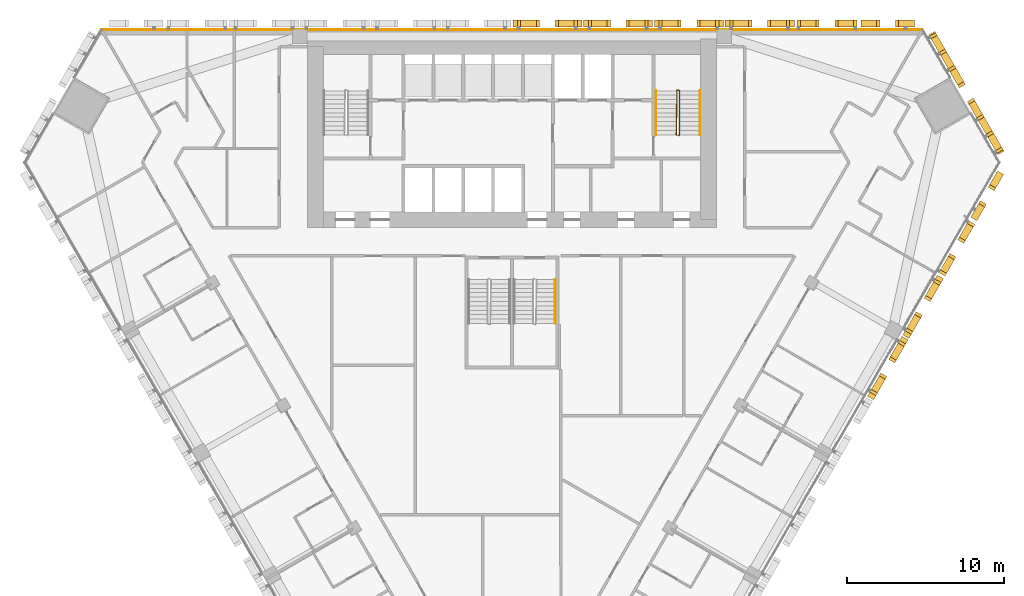
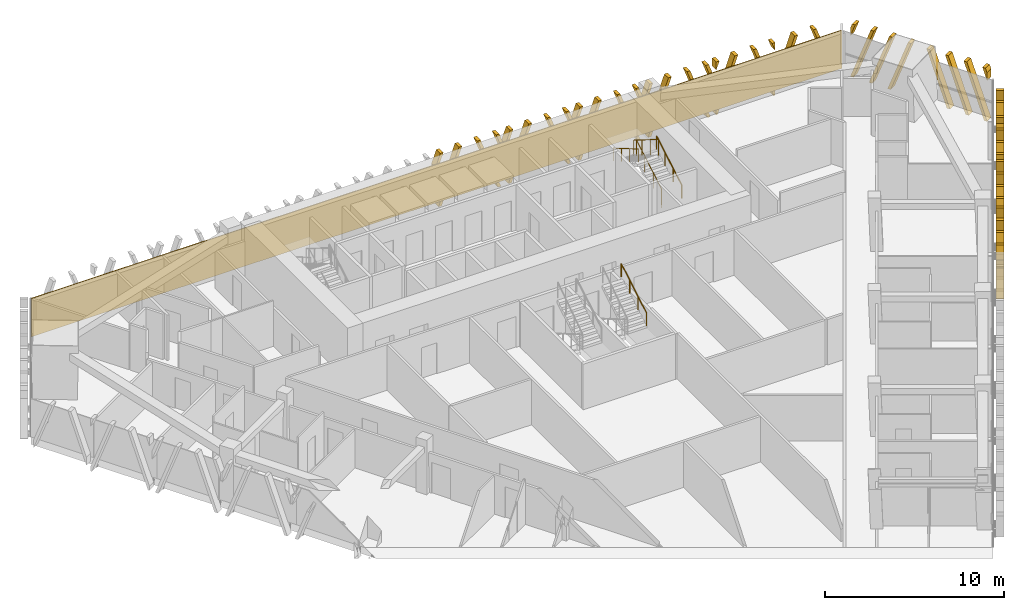
# One storey, part 17 of 18: 11 shading devices, 4 railings, 1 covering.
"""IFC4 building model written with IfcOpenShell, lengths in metres."""

from ifc_helpers import new_model, si_unit, direction, frame, frame_2d, origin, origin_2d, place, context, subcontext, project, spatial, polyline, rectangle, circle, outline, extrude, source, transform, mapped, material, layer, layer_set, type_object, element, save


model = new_model("IFC4")

# Units and contexts
model_context = context("Model", 3, precision=1e-05, world=origin(), true_north=direction((0.0, 1.0)))
body_context = subcontext(model_context, "Body", "Model", "MODEL_VIEW")
ifc_project = project(units=[si_unit("LENGTHUNIT", "METRE"), si_unit("AREAUNIT", "SQUARE_METRE"), si_unit("VOLUMEUNIT", "CUBIC_METRE"), si_unit("PLANEANGLEUNIT", "RADIAN"), si_unit("MASSUNIT", "GRAM", prefix="KILO")], contexts=[model_context])

# Site, building, storey
site_placement = place(None, origin())
site = spatial("IfcSite", under=ifc_project, at=site_placement, CompositionType="ELEMENT")
building_placement = place(site_placement, origin())
building = spatial("IfcBuilding", under=site, at=building_placement, Name="Altiplano Prism Tower", CompositionType="ELEMENT")
storey_placement = place(building_placement, frame((0.0, 0.0, 37.800048828125)))
storey = spatial("IfcBuildingStorey", under=building, at=storey_placement, Name="L08", CompositionType="ELEMENT", Elevation=37.800048828125)

# Railings
ifc_material_1 = material(Name="Steel S355", Category="steel")
railing_type_1 = type_object("IfcRailingType", Name="Stair guard 1100", PredefinedType="GUARDRAIL", material=ifc_material_1)
railing_1_placement = place(storey_placement, frame((95.60009765625, 98.25, 0.0)))
element("IfcRailing", 1, at=railing_1_placement, inside=storey, type_object=railing_type_1, Name="L08 ST2 stair guard 1", PredefinedType="GUARDRAIL", context=body_context, shape_type="SweptSolid", body=[
    extrude(circle(Radius=0.02392578125, at=origin_2d()), frame((0.0, 0.0, 1.076171875), z_axis=(0.279546231943, 0.280916556609, 0.91811752648), x_axis=(-0.708833529934, 0.705375805398, 0.0)), (0.0, 0.0, 1.0), 0.17822265625),
    extrude(circle(Radius=0.02392578125, at=origin_2d()), frame((0.0498046875, 0.050048828125, 1.23974609375), z_axis=(0.0, 0.863360870873, 0.504586966384), x_axis=(-1.0, 0.0, 0.0)), (0.0, 0.0, 1.0), 3.2431640625),
    extrude(circle(Radius=0.02392578125, at=origin_2d()), frame((0.0498046875, 2.85009765625, 2.8759765625), z_axis=(-0.948991962702, 0.315300261223, 0.0), x_axis=(-0.315300261223, -0.948991962702, 0.0)), (0.0, 0.0, 1.0), 0.157958984375),
    extrude(circle(Radius=0.02392578125, at=origin_2d()), frame((-0.10009765625, 2.89990234375, 2.8759765625), z_axis=(-0.014846992469, -0.845409478506, 0.533912334065), x_axis=(0.999845825584, -0.017559187376, 0.0)), (0.0, 0.0, 1.0), 3.37109375),
    extrude(circle(Radius=0.02099609375, at=origin_2d()), origin(), (0.0, 0.0, 1.0), 1.052001953125),
    extrude(circle(Radius=0.02099609375, at=origin_2d()), frame((0.0498046875, 0.050048828125, 0.16357421875)), (0.0, 0.0, 1.0), 1.052001953125),
    extrude(circle(Radius=0.02099609375, at=origin_2d()), frame((0.0498046875, 0.9833984375, 0.708984375)), (0.0, 0.0, 1.0), 1.052001953125),
    extrude(circle(Radius=0.02099609375, at=origin_2d()), frame((0.0498046875, 1.916748046875, 1.254638671875)), (0.0, 0.0, 1.0), 1.052001953125),
    extrude(circle(Radius=0.02099609375, at=origin_2d()), frame((0.0498046875, 2.85009765625, 1.800048828125)), (0.0, 0.0, 1.0), 1.052001953125),
    extrude(circle(Radius=0.02099609375, at=origin_2d()), frame((-0.10009765625, 2.89990234375, 1.800048828125)), (0.0, 0.0, 1.0), 1.052001953125),
    extrude(circle(Radius=0.02099609375, at=origin_2d()), frame((-0.11669921875, 1.949951171875, 2.39990234375)), (0.0, 0.0, 1.0), 1.052001953125),
    extrude(circle(Radius=0.02099609375, at=origin_2d()), frame((-0.133544921875, 1.0, 3.0)), (0.0, 0.0, 1.0), 1.052001953125),
    extrude(circle(Radius=0.02099609375, at=origin_2d()), frame((-0.150146484375, 0.050048828125, 3.599853515625)), (0.0, 0.0, 1.0), 1.052001953125),
])
railing_type_2 = type_object("IfcRailingType", Name="Stair handrail 900", PredefinedType="HANDRAIL", material=ifc_material_1)
railing_2_placement = place(storey_placement, frame((96.949951171875, 98.300048828125, 0.16357421875)))
element("IfcRailing", 2, at=railing_2_placement, inside=storey, type_object=railing_type_2, Name="L08 ST2 stair handrail 1", PredefinedType="HANDRAIL", context=body_context, shape_type="SweptSolid", body=[
    extrude(circle(Radius=0.02392578125, at=origin_2d()), frame((0.0, 0.0, 0.8759765625), z_axis=(0.0, 0.863360870873, 0.504586966384), x_axis=(-1.0, 0.0, 0.0)), (0.0, 0.0, 1.0), 3.2431640625),
    extrude(circle(Radius=0.02099609375, at=origin_2d()), origin(), (0.0, 0.0, 1.0), 0.851806640625),
    extrude(circle(Radius=0.02099609375, at=origin_2d()), frame((0.0, 0.933349609375, 0.54541015625)), (0.0, 0.0, 1.0), 0.851806640625),
    extrude(circle(Radius=0.02099609375, at=origin_2d()), frame((0.0, 1.86669921875, 1.091064453125)), (0.0, 0.0, 1.0), 0.851806640625),
    extrude(circle(Radius=0.02099609375, at=origin_2d()), frame((0.0, 2.800048828125, 1.636474609375)), (0.0, 0.0, 1.0), 0.851806640625),
])
railing_3_placement = place(storey_placement, frame((94.14990234375, 101.10009765625, 1.963623046875)))
element("IfcRailing", 3, at=railing_3_placement, inside=storey, type_object=railing_type_2, Name="L08 ST2 stair handrail 2", PredefinedType="HANDRAIL", context=body_context, shape_type="SweptSolid", body=[
    extrude(circle(Radius=0.02392578125, at=origin_2d()), frame((0.0, 0.0, 0.8759765625), z_axis=(0.0, -0.863393664356, 0.504530851732), x_axis=(1.0, 0.0, 0.0)), (0.0, 0.0, 1.0), 3.2431640625),
    extrude(circle(Radius=0.02099609375, at=origin_2d()), origin(), (0.0, 0.0, 1.0), 0.851806640625),
    extrude(circle(Radius=0.02099609375, at=origin_2d()), frame((0.0, -0.933349609375, 0.54541015625)), (0.0, 0.0, 1.0), 0.851806640625),
    extrude(circle(Radius=0.02099609375, at=origin_2d()), frame((0.0, -1.86669921875, 1.0908203125)), (0.0, 0.0, 1.0), 0.851806640625),
    extrude(circle(Radius=0.02099609375, at=origin_2d()), frame((0.0, -2.800048828125, 1.63623046875)), (0.0, 0.0, 1.0), 0.851806640625),
])
railing_4_placement = place(storey_placement, frame((87.75, 86.300048828125, 1.963623046875)))
element("IfcRailing", 4, at=railing_4_placement, inside=storey, type_object=railing_type_2, Name="L08 ST3B stair handrail 2", PredefinedType="HANDRAIL", context=body_context, shape_type="SweptSolid", body=[
    extrude(circle(Radius=0.02392578125, at=origin_2d()), frame((0.0, 0.0, 0.8759765625), z_axis=(0.0, 0.863393664356, 0.504530851732), x_axis=(-1.0, 0.0, 0.0)), (0.0, 0.0, 1.0), 3.2431640625),
    extrude(circle(Radius=0.02099609375, at=origin_2d()), origin(), (0.0, 0.0, 1.0), 0.851806640625),
    extrude(circle(Radius=0.02099609375, at=origin_2d()), frame((0.0, 0.933349609375, 0.54541015625)), (0.0, 0.0, 1.0), 0.851806640625),
    extrude(circle(Radius=0.02099609375, at=origin_2d()), frame((0.0, 1.86669921875, 1.0908203125)), (0.0, 0.0, 1.0), 0.851806640625),
    extrude(circle(Radius=0.02099609375, at=origin_2d()), frame((0.0, 2.800048828125, 1.63623046875)), (0.0, 0.0, 1.0), 0.851806640625),
])

# Covering
ifc_material_2 = material(Name="Warm limestone cast stone", Category="masonry")
ifc_layer = layer(ifc_material_2, 0.06005859375)
ifc_layer_set = layer_set([ifc_layer], Name="Warm limestone cast stone")
covering_type = type_object("IfcCoveringType", Name="Stone cladding 60", PredefinedType="CLADDING", material=ifc_layer_set)
covering_placement = place(storey_placement, frame((58.8759765625, 104.969970703125, 0.0), z_axis=(0.0, 0.0, 1.0), x_axis=(1.0, 0.0, 0.0)))
element("IfcCovering", 5, at=covering_placement, inside=storey, type_object=covering_type, Name="Stone cladding north face L08", PredefinedType="CLADDING", context=body_context, shape_type="SweptSolid", body=[
    extrude(rectangle(XDim=52.248046875, YDim=0.06005859375, at=frame_2d((26.1240234375, 0.0))), origin(), (0.0, 0.0, 1.0), 2.599853515625),
])

# Shading devices
shading_device_type_1 = type_object("IfcShadingDeviceType", Name="Stone fin panel, standard unit", PredefinedType="USERDEFINED", material=ifc_material_2)
shared_shape_1 = source(origin(), body_context, "Body", "SweptSolid", [
    extrude(outline(polyline([(-2.199951171875, 2.226318359375), (-1.699951171875, 3.60009765625), (-1.89990234375, 3.60009765625), (-2.199951171875, 2.77587890625), (-2.199951171875, 2.226318359375)])), frame((0.0, -0.14990234375, 0.0), z_axis=(0.0, -1.0, 0.0), x_axis=(1.0, 0.0, 0.0)), (0.0, 0.0, 1.0), 0.4501953125),
    extrude(outline(polyline([(-2.01025390625, 0.0), (-1.810302734375, 0.0), (-0.5, 3.60009765625), (-0.699951171875, 3.60009765625), (-2.01025390625, 0.0)])), frame((0.0, -0.14990234375, 0.0), z_axis=(0.0, -1.0, 0.0), x_axis=(1.0, 0.0, 0.0)), (0.0, 0.0, 1.0), 0.4501953125),
    extrude(outline(polyline([(1.810302734375, 0.0), (2.01025390625, 0.0), (0.699951171875, 3.60009765625), (0.5, 3.60009765625), (1.810302734375, 0.0)])), frame((0.0, -0.14990234375, 0.0), z_axis=(0.0, -1.0, 0.0), x_axis=(1.0, 0.0, 0.0)), (0.0, 0.0, 1.0), 0.4501953125),
    extrude(outline(polyline([(2.199951171875, 2.77587890625), (1.89990234375, 3.60009765625), (1.699951171875, 3.60009765625), (2.199951171875, 2.226318359375), (2.199951171875, 2.77587890625)])), frame((0.0, -0.14990234375, 0.0), z_axis=(0.0, -1.0, 0.0), x_axis=(1.0, 0.0, 0.0)), (0.0, 0.0, 1.0), 0.4501953125),
])
shading_device_1_placement = place(storey_placement, origin())
element("IfcShadingDevice", 6, at=shading_device_1_placement, inside=storey, type_object=shading_device_type_1, Name="Fin L08 north face 3", ObjectType="FIN", PredefinedType="USERDEFINED", context=body_context, shape_type="MappedRepresentation", body=[
    mapped(shared_shape_1, transform((100.75, 105.0, -0.5), x_axis=(-1.0, 0.0, 0.0), y_axis=(0.0, -1.0, 0.0), z_axis=(0.0, 0.0, 1.0))),
])
shading_device_2_placement = place(storey_placement, origin())
element("IfcShadingDevice", 7, at=shading_device_2_placement, inside=storey, type_object=shading_device_type_1, Name="Fin L08 north face 4", ObjectType="FIN", PredefinedType="USERDEFINED", context=body_context, shape_type="MappedRepresentation", body=[
    mapped(shared_shape_1, transform((96.25, 105.0, -0.5), x_axis=(-1.0, 0.0, 0.0), y_axis=(0.0, -1.0, 0.0), z_axis=(0.0, 0.0, 1.0))),
])
shading_device_3_placement = place(storey_placement, origin())
element("IfcShadingDevice", 8, at=shading_device_3_placement, inside=storey, type_object=shading_device_type_1, Name="Fin L08 north face 5", ObjectType="FIN", PredefinedType="USERDEFINED", context=body_context, shape_type="MappedRepresentation", body=[
    mapped(shared_shape_1, transform((91.75, 105.0, -0.5), x_axis=(-1.0, 0.0, 0.0), y_axis=(0.0, -1.0, 0.0), z_axis=(0.0, 0.0, 1.0))),
])
shading_device_4_placement = place(storey_placement, origin())
element("IfcShadingDevice", 9, at=shading_device_4_placement, inside=storey, type_object=shading_device_type_1, Name="Fin L08 north face 6", ObjectType="FIN", PredefinedType="USERDEFINED", context=body_context, shape_type="MappedRepresentation", body=[
    mapped(shared_shape_1, transform((87.25, 105.0, -0.5), x_axis=(-1.0, 0.0, 0.0), y_axis=(0.0, -1.0, 0.0), z_axis=(0.0, 0.0, 1.0))),
])
shading_device_5_placement = place(storey_placement, origin())
element("IfcShadingDevice", 10, at=shading_device_5_placement, inside=storey, type_object=shading_device_type_1, Name="Fin L08 south-east face 9", ObjectType="FIN", PredefinedType="USERDEFINED", context=body_context, shape_type="MappedRepresentation", body=[
    mapped(shared_shape_1, transform((108.571533203125, 83.658447265625, -0.5), x_axis=(0.499999990242, 0.866025409418, 0.0), y_axis=(-0.866025409418, 0.499999990242, 0.0), z_axis=(0.0, 0.0, 1.0))),
])
shading_device_6_placement = place(storey_placement, origin())
element("IfcShadingDevice", 11, at=shading_device_6_placement, inside=storey, type_object=shading_device_type_1, Name="Fin L08 south-east face 10", ObjectType="FIN", PredefinedType="USERDEFINED", context=body_context, shape_type="MappedRepresentation", body=[
    mapped(shared_shape_1, transform((110.821533203125, 87.555419921875, -0.5), x_axis=(0.499999990242, 0.866025409418, 0.0), y_axis=(-0.866025409418, 0.499999990242, 0.0), z_axis=(0.0, 0.0, 1.0))),
])
shading_device_type_2 = type_object("IfcShadingDeviceType", Name="Stone fin panel, narrow closing bay", PredefinedType="USERDEFINED", material=ifc_material_2)
shared_shape_2 = source(origin(), body_context, "Body", "SweptSolid", [
    extrude(outline(polyline([(-1.699951171875, 0.302978515625), (-0.5, 3.60009765625), (-0.699951171875, 3.60009765625), (-1.699951171875, 0.8525390625), (-1.699951171875, 0.302978515625)])), frame((0.0, -0.14990234375, 0.0), z_axis=(0.0, -1.0, 0.0), x_axis=(1.0, 0.0, 0.0)), (0.0, 0.0, 1.0), 0.4501953125),
    extrude(outline(polyline([(1.699951171875, 0.8525390625), (0.699951171875, 3.60009765625), (0.5, 3.60009765625), (1.699951171875, 0.302978515625), (1.699951171875, 0.8525390625)])), frame((0.0, -0.14990234375, 0.0), z_axis=(0.0, -1.0, 0.0), x_axis=(1.0, 0.0, 0.0)), (0.0, 0.0, 1.0), 0.4501953125),
])
shading_device_7_placement = place(storey_placement, origin())
element("IfcShadingDevice", 12, at=shading_device_7_placement, inside=storey, type_object=shading_device_type_2, Name="Fin L08 north face 1", ObjectType="FIN", PredefinedType="USERDEFINED", context=body_context, shape_type="MappedRepresentation", body=[
    mapped(shared_shape_2, transform((108.89306640625, 105.0, -0.5), x_axis=(-1.0, 0.0, 0.0), y_axis=(0.0, -1.0, 0.0), z_axis=(0.0, 0.0, 1.0))),
])
shading_device_8_placement = place(storey_placement, origin())
element("IfcShadingDevice", 13, at=shading_device_8_placement, inside=storey, type_object=shading_device_type_2, Name="Fin L08 south-east face 12", ObjectType="FIN", PredefinedType="USERDEFINED", context=body_context, shape_type="MappedRepresentation", body=[
    mapped(shared_shape_2, transform((114.89306640625, 94.607666015625, -0.5), x_axis=(0.499999990242, 0.866025409418, 0.0), y_axis=(-0.866025409418, 0.499999990242, 0.0), z_axis=(0.0, 0.0, 1.0))),
])
shared_shape_3 = source(origin(), body_context, "Body", "SweptSolid", [
    extrude(outline(polyline([(-1.89990234375, 0.0), (-1.810302734375, 0.0), (-0.5, 3.60009765625), (-0.699951171875, 3.60009765625), (-1.89990234375, 0.302978515625), (-1.89990234375, 0.0)])), frame((0.0, -0.14990234375, 0.0), z_axis=(0.0, -1.0, 0.0), x_axis=(1.0, 0.0, 0.0)), (0.0, 0.0, 1.0), 0.4501953125),
    extrude(outline(polyline([(-1.89990234375, 3.050537109375), (-1.699951171875, 3.60009765625), (-1.89990234375, 3.60009765625), (-1.89990234375, 3.050537109375)])), frame((0.0, -0.14990234375, 0.0), z_axis=(0.0, -1.0, 0.0), x_axis=(1.0, 0.0, 0.0)), (0.0, 0.0, 1.0), 0.4501953125),
    extrude(outline(polyline([(1.810302734375, 0.0), (1.89990234375, 0.0), (1.89990234375, 0.302978515625), (0.699951171875, 3.60009765625), (0.5, 3.60009765625), (1.810302734375, 0.0)])), frame((0.0, -0.14990234375, 0.0), z_axis=(0.0, -1.0, 0.0), x_axis=(1.0, 0.0, 0.0)), (0.0, 0.0, 1.0), 0.4501953125),
    extrude(outline(polyline([(1.89990234375, 3.60009765625), (1.699951171875, 3.60009765625), (1.89990234375, 3.050537109375), (1.89990234375, 3.60009765625)])), frame((0.0, -0.14990234375, 0.0), z_axis=(0.0, -1.0, 0.0), x_axis=(1.0, 0.0, 0.0)), (0.0, 0.0, 1.0), 0.4501953125),
])
shading_device_9_placement = place(storey_placement, origin())
element("IfcShadingDevice", 14, at=shading_device_9_placement, inside=storey, type_object=shading_device_type_2, Name="Fin L08 north face 2", ObjectType="FIN", PredefinedType="USERDEFINED", context=body_context, shape_type="MappedRepresentation", body=[
    mapped(shared_shape_3, transform((105.031005859375, 105.0, -0.5), x_axis=(-1.0, 0.0, 0.0), y_axis=(0.0, -1.0, 0.0), z_axis=(0.0, 0.0, 1.0))),
])
shading_device_10_placement = place(storey_placement, origin())
element("IfcShadingDevice", 15, at=shading_device_10_placement, inside=storey, type_object=shading_device_type_2, Name="Fin L08 south-east face 11", ObjectType="FIN", PredefinedType="USERDEFINED", context=body_context, shape_type="MappedRepresentation", body=[
    mapped(shared_shape_3, transform((112.962158203125, 91.262939453125, -0.5), x_axis=(0.499999990242, 0.866025409418, 0.0), y_axis=(-0.866025409418, 0.499999990242, 0.0), z_axis=(0.0, 0.0, 1.0))),
])
shading_device_type_3 = type_object("IfcShadingDeviceType", Name="Stone fin panel, chamfer unit", PredefinedType="USERDEFINED", material=ifc_material_2)
shared_shape_4 = source(origin(), body_context, "Body", "SweptSolid", [
    extrude(outline(polyline([(-4.39990234375, 0.0), (-4.210205078125, 0.0), (-2.89990234375, 3.60009765625), (-3.10009765625, 3.60009765625), (-4.39990234375, 0.0283203125), (-4.39990234375, 0.0)])), frame((0.0, -0.14990234375, 0.0), z_axis=(0.0, -1.0, 0.0), x_axis=(1.0, 0.0, 0.0)), (0.0, 0.0, 1.0), 0.4501953125),
    extrude(outline(polyline([(-4.39990234375, 2.77587890625), (-4.10009765625, 3.60009765625), (-4.300048828125, 3.60009765625), (-4.39990234375, 3.3251953125), (-4.39990234375, 2.77587890625)])), frame((0.0, -0.14990234375, 0.0), z_axis=(0.0, -1.0, 0.0), x_axis=(1.0, 0.0, 0.0)), (0.0, 0.0, 1.0), 0.4501953125),
    extrude(outline(polyline([(-3.210205078125, 0.0), (-3.01025390625, 0.0), (-1.699951171875, 3.60009765625), (-1.89990234375, 3.60009765625), (-3.210205078125, 0.0)])), frame((0.0, -0.14990234375, 0.0), z_axis=(0.0, -1.0, 0.0), x_axis=(1.0, 0.0, 0.0)), (0.0, 0.0, 1.0), 0.4501953125),
    extrude(outline(polyline([(-2.01025390625, 0.0), (-1.810302734375, 0.0), (-0.5, 3.60009765625), (-0.699951171875, 3.60009765625), (-2.01025390625, 0.0)])), frame((0.0, -0.14990234375, 0.0), z_axis=(0.0, -1.0, 0.0), x_axis=(1.0, 0.0, 0.0)), (0.0, 0.0, 1.0), 0.4501953125),
    extrude(outline(polyline([(1.810302734375, 0.0), (2.01025390625, 0.0), (0.699951171875, 3.60009765625), (0.5, 3.60009765625), (1.810302734375, 0.0)])), frame((0.0, -0.14990234375, 0.0), z_axis=(0.0, -1.0, 0.0), x_axis=(1.0, 0.0, 0.0)), (0.0, 0.0, 1.0), 0.4501953125),
    extrude(outline(polyline([(3.01025390625, 0.0), (3.210205078125, 0.0), (1.89990234375, 3.60009765625), (1.699951171875, 3.60009765625), (3.01025390625, 0.0)])), frame((0.0, -0.14990234375, 0.0), z_axis=(0.0, -1.0, 0.0), x_axis=(1.0, 0.0, 0.0)), (0.0, 0.0, 1.0), 0.4501953125),
    extrude(outline(polyline([(4.210205078125, 0.0), (4.39990234375, 0.0), (4.39990234375, 0.0283203125), (3.10009765625, 3.60009765625), (2.89990234375, 3.60009765625), (4.210205078125, 0.0)])), frame((0.0, -0.14990234375, 0.0), z_axis=(0.0, -1.0, 0.0), x_axis=(1.0, 0.0, 0.0)), (0.0, 0.0, 1.0), 0.4501953125),
    extrude(outline(polyline([(4.39990234375, 3.3251953125), (4.300048828125, 3.60009765625), (4.10009765625, 3.60009765625), (4.39990234375, 2.77587890625), (4.39990234375, 3.3251953125)])), frame((0.0, -0.14990234375, 0.0), z_axis=(0.0, -1.0, 0.0), x_axis=(1.0, 0.0, 0.0)), (0.0, 0.0, 1.0), 0.4501953125),
])
shading_device_11_placement = place(storey_placement, origin())
element("IfcShadingDevice", 16, at=shading_device_11_placement, inside=storey, type_object=shading_device_type_3, Name="Fin L08 north-east chamfer 1", ObjectType="FIN", PredefinedType="USERDEFINED", context=body_context, shape_type="MappedRepresentation", body=[
    mapped(shared_shape_4, transform((113.56640625, 100.769775390625, -0.5), x_axis=(-0.500000004956, 0.866025400923, 0.0), y_axis=(-0.866025400923, -0.500000004956, 0.0), z_axis=(0.0, 0.0, 1.0))),
])

save(model, "model.ifc")
